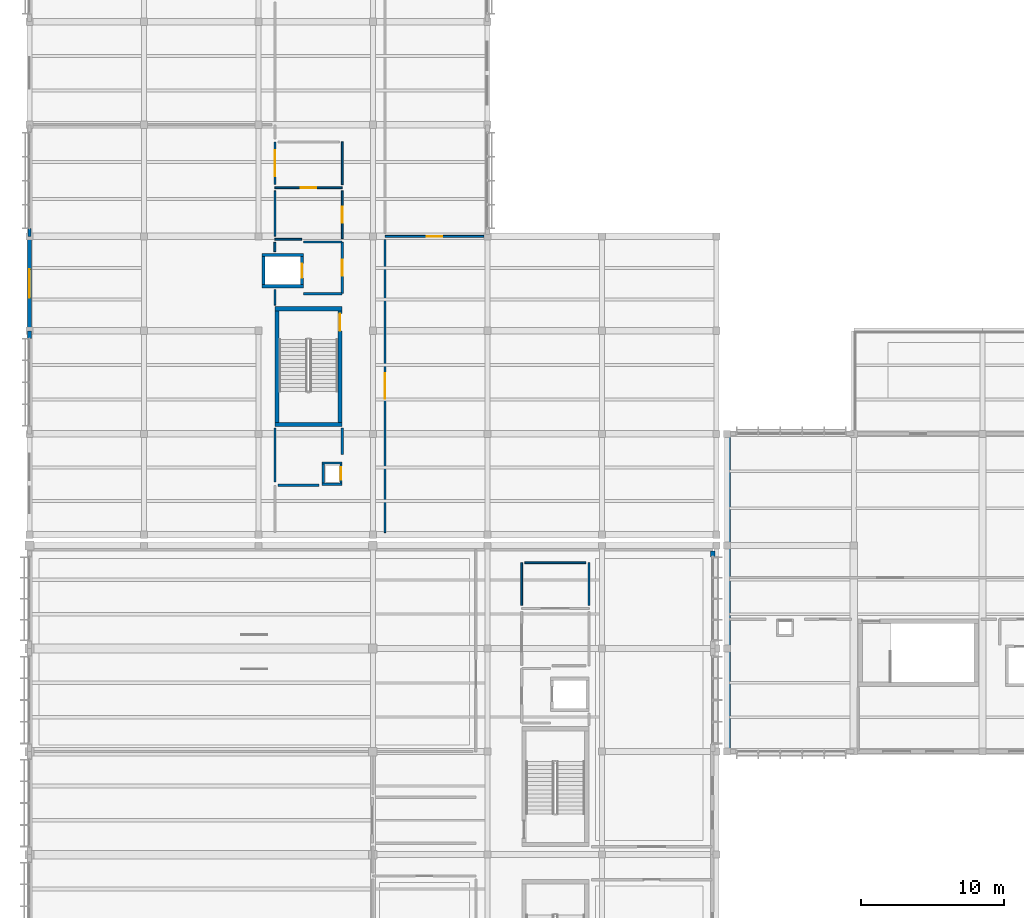
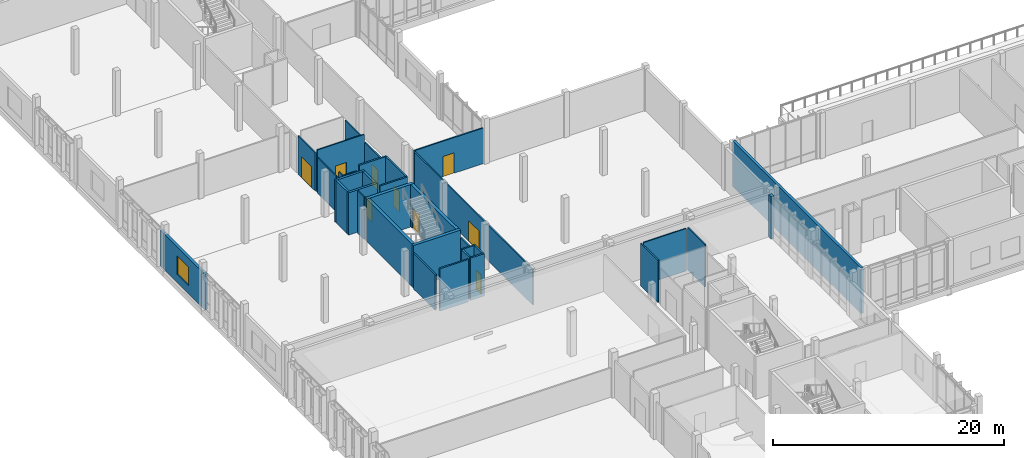
# One storey, part 148 of 177: 36 walls, 9 doors, 1 window, 10 openings.
"""IFC4 building model written with IfcOpenShell, lengths in metres."""

import ifcopenshell
import ifcopenshell.guid

model = None  # the IFC model being written
_history = None  # IfcOwnerHistory: only IFC2X3 demands one
_inside = {}  # id of a spatial element -> (the spatial element, [elements in it])
_under = {}  # id of a project, library or spatial element -> (it, [spatial elements below it])
_declared = {}  # id of a project -> (the project, [libraries it declares])
_typed = {}  # id of a type object -> (the type object, [elements of that type])
_made_of = {}  # id of a material, layer set ... -> (it, [elements and type objects made of it])


def new_model(schema):
    """Start an empty IFC model of exactly this schema.

    Asked for "IFC4X3", IfcOpenShell would pick the latest addendum, in which some entities
    have other attributes; the version numbers below select the first issue.
    IFC2X3 requires an IfcOwnerHistory on every rooted entity: one is made here for all.
    """
    global model, _history
    if schema == "IFC4X3":
        model = ifcopenshell.file(schema_version=(4, 3, 0, 0))
    else:
        model = ifcopenshell.file(schema=schema)
    _inside.clear()
    _under.clear()
    _declared.clear()
    _typed.clear()
    _made_of.clear()
    _history = None
    if model.schema == "IFC2X3":
        org = make("IfcOrganization", Name="unknown")
        user = make(
            "IfcPersonAndOrganization",
            ThePerson=make("IfcPerson", FamilyName="unknown"),
            TheOrganization=org,
        )
        app = make(
            "IfcApplication",
            ApplicationDeveloper=org,
            Version="unknown",
            ApplicationFullName="unknown",
            ApplicationIdentifier="unknown",
        )
        _history = make(
            "IfcOwnerHistory",
            OwningUser=user,
            OwningApplication=app,
            ChangeAction="ADDED",
            CreationDate=0,
        )
    return model


def make(cls, **values):
    """One entity of the class cls with the attributes given. An attribute that is None is left unset."""
    return model.create_entity(
        cls, **{name: value for name, value in values.items() if value is not None}
    )


def rooted(cls, **values):
    """An entity with a GlobalId (a new one), such as an element, a storey or a relation."""
    return make(cls, GlobalId=ifcopenshell.guid.new(), OwnerHistory=_history, **values)


def si_unit(unit_type, name, prefix=None):
    """IfcSIUnit, for example si_unit("LENGTHUNIT", "METRE", prefix="MILLI")."""
    return make("IfcSIUnit", UnitType=unit_type, Prefix=prefix, Name=name)


def assignment(units):
    """IfcUnitAssignment: the units of a project."""
    return None if units is None else make("IfcUnitAssignment", Units=units)


def point(xyz):
    """IfcCartesianPoint."""
    return None if xyz is None else make("IfcCartesianPoint", Coordinates=xyz)


def direction(xyz):
    """IfcDirection."""
    return None if xyz is None else make("IfcDirection", DirectionRatios=xyz)


def frame(location, z_axis=None, x_axis=None):
    """IfcAxis2Placement3D, a coordinate frame: its origin and axes. An axis left out is left unset."""
    return make(
        "IfcAxis2Placement3D",
        Location=point(location),
        Axis=direction(z_axis),
        RefDirection=direction(x_axis),
    )


def frame_2d(location, x_axis=None):
    """IfcAxis2Placement2D, a coordinate frame in the plane: its origin and x axis."""
    return make(
        "IfcAxis2Placement2D", Location=point(location), RefDirection=direction(x_axis)
    )


def origin():
    """The frame at (0, 0, 0) with its axes left unset."""
    return frame((0.0, 0.0, 0.0))


def place(relative_to, where):
    """IfcLocalPlacement: puts the frame where relative to a parent placement (None: the world)."""
    return make(
        "IfcLocalPlacement", PlacementRelTo=relative_to, RelativePlacement=where
    )


def context(
    kind, dimensions, precision=None, world=None, true_north=None, identifier=None
):
    """IfcGeometricRepresentationContext, for example the 3D "Model" context."""
    return make(
        "IfcGeometricRepresentationContext",
        ContextIdentifier=identifier,
        ContextType=kind,
        CoordinateSpaceDimension=dimensions,
        Precision=precision,
        WorldCoordinateSystem=world,
        TrueNorth=true_north,
    )


def subcontext(parent, identifier, kind, view, scale=None):
    """IfcGeometricRepresentationSubContext, for example "Body" below "Model"."""
    return make(
        "IfcGeometricRepresentationSubContext",
        ContextIdentifier=identifier,
        ContextType=kind,
        ParentContext=parent,
        TargetScale=scale,
        TargetView=view,
    )


def project(units=None, contexts=None):
    """IfcProject with its units and contexts."""
    return rooted(
        "IfcProject",
        Name="project",
        RepresentationContexts=contexts,
        UnitsInContext=assignment(units),
    )


def spatial(cls, under=None, at=None, **own):
    """A site, building, storey or space (cls), placed at a placement, below another one or the project."""
    s = rooted(cls, ObjectPlacement=at, **own)
    if under is not None:
        _under.setdefault(under.id(), (under, []))[1].append(s)
    return s


def profile(cls, at=None, kind="AREA", **sizes):
    """A parametric profile (cls). Its sizes go by their IFC names, for example OverallWidth=200.0."""
    return make(cls, ProfileType=kind, Position=at, **sizes)


def rectangle(**sizes):
    """IfcRectangleProfileDef."""
    return profile("IfcRectangleProfileDef", **sizes)


def extrude(swept, where, along, depth):
    """IfcExtrudedAreaSolid: the profile swept, set in the frame where, extruded along a direction by depth."""
    return make(
        "IfcExtrudedAreaSolid",
        SweptArea=swept,
        Position=where,
        ExtrudedDirection=direction(along),
        Depth=depth,
    )


def shape(context_of_items, identifier, shape_type, items):
    """IfcShapeRepresentation: the items that make up one representation, for example the "Body"."""
    return make(
        "IfcShapeRepresentation",
        ContextOfItems=context_of_items,
        RepresentationIdentifier=identifier,
        RepresentationType=shape_type,
        Items=items,
    )


def material(Name=None, Category=None):
    """IfcMaterial."""
    return make("IfcMaterial", Name=Name, Category=Category)


def layer(
    of_material, thickness, ventilated=None, Name=None, Category=None, Priority=None
):
    """IfcMaterialLayer: one layer of a wall or slab, of a material (None: an air gap)."""
    return make(
        "IfcMaterialLayer",
        Material=of_material,
        LayerThickness=thickness,
        IsVentilated=ventilated,
        Name=Name,
        Category=Category,
        Priority=Priority,
    )


def layer_set(layers, Name=None):
    """IfcMaterialLayerSet."""
    return make("IfcMaterialLayerSet", MaterialLayers=layers, LayerSetName=Name)


def made_of(thing, what):
    """Note that an element or type object is made of a material, layer set ...; save() writes the relation."""
    if what is not None:
        _made_of.setdefault(what.id(), (what, []))[1].append(thing)
    return thing


def type_object(cls, material=None, **own):
    """A type object (cls), such as IfcWallType, which elements share."""
    return made_of(rooted(cls, **own), material)


def element(
    cls,
    number,
    at=None,
    inside=None,
    cuts=None,
    type_object=None,
    material=None,
    context=None,
    identifier="Body",
    shape_type=None,
    held_by="IfcProductDefinitionShape",
    body=None,
    shapes=None,
    **own,
):
    """One element of the class cls, such as IfcWall. Its Tag is "e" and its number.

    at: its placement. inside: the storey or other place that contains it. cuts: it is an
    opening in that element (IfcRelVoidsElement). A single representation is given by context,
    identifier, shape_type and body (its items); several are given by shapes. held_by: the class
    of the entity that holds the representations. save() writes the other relations.
    """
    e = rooted(cls, Tag="e%d" % number, ObjectPlacement=at, **own)
    if body is not None:
        shapes = [shape(context, identifier, shape_type, body)]
    if shapes is not None:
        e.Representation = make(held_by, Representations=shapes)
    if inside is not None:
        _inside.setdefault(inside.id(), (inside, []))[1].append(e)
    if cuts is not None:
        rooted(
            "IfcRelVoidsElement", RelatingBuildingElement=cuts, RelatedOpeningElement=e
        )
    if type_object is not None:
        _typed.setdefault(type_object.id(), (type_object, []))[1].append(e)
    return made_of(e, material)


def fill(opening, filler):
    """IfcRelFillsElement: the door or window that sits in an opening."""
    return rooted(
        "IfcRelFillsElement",
        RelatingOpeningElement=opening,
        RelatedBuildingElement=filler,
    )


def aggregate(whole, parts):
    """IfcRelAggregates: a whole, such as a stair, and the parts it consists of."""
    return rooted("IfcRelAggregates", RelatingObject=whole, RelatedObjects=parts)


def save(model, path):
    """Write the relations noted so far, then the file.

    IfcRelAggregates (storeys below a building ...), IfcRelContainedInSpatialStructure (elements
    in a storey), IfcRelDefinesByType, IfcRelAssociatesMaterial and IfcRelDeclares: one each for
    every whole, place, type object, material and project.
    """
    for whole, parts in _under.values():
        aggregate(whole, parts)
    for where, things in _inside.values():
        rooted(
            "IfcRelContainedInSpatialStructure",
            RelatedElements=things,
            RelatingStructure=where,
        )
    for kind, things in _typed.values():
        rooted("IfcRelDefinesByType", RelatedObjects=things, RelatingType=kind)
    for what, things in _made_of.values():
        rooted("IfcRelAssociatesMaterial", RelatedObjects=things, RelatingMaterial=what)
    for by, libraries in _declared.values():
        rooted("IfcRelDeclares", RelatingContext=by, RelatedDefinitions=libraries)
    model.write(path)


model = new_model("IFC4")

# Units and contexts
model_context = context("Model", 3, precision=1e-05, world=origin(), true_north=direction((0.0, 1.0)))
body_context = subcontext(model_context, "Body", "Model", "MODEL_VIEW")
ifc_project = project(units=[si_unit("LENGTHUNIT", "METRE"), si_unit("AREAUNIT", "SQUARE_METRE"), si_unit("VOLUMEUNIT", "CUBIC_METRE"), si_unit("PLANEANGLEUNIT", "RADIAN"), si_unit("MASSUNIT", "GRAM", prefix="KILO")], contexts=[model_context])

# Site, building, storey
site_placement = place(None, origin())
site = spatial("IfcSite", under=ifc_project, at=site_placement, CompositionType="ELEMENT")
building_placement = place(site_placement, origin())
building = spatial("IfcBuilding", under=site, at=building_placement, Name="Chiffa Square Polytechnic", CompositionType="ELEMENT")
storey_placement = place(building_placement, frame((0.0, 0.0, 4.800048828125)))
storey = spatial("IfcBuildingStorey", under=building, at=storey_placement, Name="L01", CompositionType="ELEMENT", Elevation=4.800048828125)

# Walls
ifc_material_1 = material(Name="Concrete C40/50", Category="concrete")
ifc_layer_1 = layer(ifc_material_1, 0.300048828125, Name="Concrete C40/50")
ifc_layer_set_1 = layer_set([ifc_layer_1], Name="Concrete C40/50")
wall_type_1 = type_object("IfcWallType", Name="WL-CORE-300", PredefinedType="SHEAR", material=ifc_layer_set_1)
for number, where, z_axis, x_axis, name in (
    (1, (17.14990234375, 44.449951171875, 0.0), (0.0, 0.0, 1.0), (1.0, 0.0, 0.0), "Core or enclosure wall WC-CORE-V6A-L01-SOUTH"),
    (2, (17.14990234375, 52.550048828125, 0.0), (0.0, 0.0, 1.0), (1.0, 0.0, 0.0), "Core or enclosure wall WC-CORE-V6A-L01-NORTH"),
):
    element("IfcWall", number, at=place(storey_placement, frame(where, z_axis=z_axis, x_axis=x_axis)), inside=storey, type_object=wall_type_1, Name=name, PredefinedType="SHEAR", context=body_context, shape_type="SweptSolid", body=[
        extrude(rectangle(XDim=4.7001953125, YDim=0.300048828125, at=frame_2d((2.35009765625, 0.0))), origin(), (0.0, 0.0, 1.0), 4.47998046875),
    ])
wall_1_placement = place(storey_placement, frame((17.300048828125, 44.60009765625, 0.0), z_axis=(0.0, 0.0, 1.0), x_axis=(0.0, 1.0, 0.0)))
element("IfcWall", 3, at=wall_1_placement, inside=storey, type_object=wall_type_1, Name="Core or enclosure wall WC-CORE-V6A-L01-WEST", PredefinedType="SHEAR", context=body_context, shape_type="SweptSolid", body=[
    extrude(rectangle(XDim=7.7998046875, YDim=0.300048828125, at=frame_2d((3.89990234375, 0.0))), origin(), (0.0, 0.0, 1.0), 4.47998046875),
])

# Wall, opening, door
wall_2_placement = place(storey_placement, frame((21.699951171875, 44.60009765625, 0.0), z_axis=(0.0, 0.0, 1.0), x_axis=(0.0, 1.0, 0.0)))
wall_2 = element("IfcWall", 4, at=wall_2_placement, inside=storey, type_object=wall_type_1, Name="Core or enclosure wall WC-CORE-V6A-L01-EAST", PredefinedType="SHEAR", context=body_context, shape_type="SweptSolid", body=[
    extrude(rectangle(XDim=7.7998046875, YDim=0.300048828125, at=frame_2d((3.89990234375, 0.0))), origin(), (0.0, 0.0, 1.0), 4.47998046875),
])
opening_1_placement = place(wall_2_placement, frame((6.39990234375, 0.0, 0.0)))
opening_1 = element("IfcOpeningElement", 5, at=opening_1_placement, cuts=wall_2, Name="Opening DS-L01-048", PredefinedType="OPENING", context=body_context, shape_type="SweptSolid", body=[
    extrude(rectangle(XDim=1.199951171875, YDim=2.14990234375, at=frame_2d((0.60009765625, 1.074951171875))), frame((0.0, 0.16015625, 0.0), z_axis=(0.0, -1.0, 0.0), x_axis=(1.0, 0.0, 0.0)), (0.0, 0.0, 1.0), 0.320068359375),
])
ifc_material_2 = material(Name="Fire-rated painted steel leaf", Category="steel")
door_type_1 = type_object("IfcDoorType", Name="DR-STAIR-1200", OperationType="NOTDEFINED", PredefinedType="DOOR", material=ifc_material_2)
door_1_placement = place(opening_1_placement, origin())
door_1 = element("IfcDoor", 6, at=door_1_placement, inside=storey, type_object=door_type_1, Name="Enclosure door DS-L01-048", OperationType="SINGLE_SWING_RIGHT", OverallHeight=2.14990234375, OverallWidth=1.199951171875, PredefinedType="DOOR", context=body_context, shape_type="SweptSolid", body=[
    extrude(rectangle(XDim=1.199951171875, YDim=2.14990234375, at=frame_2d((0.60009765625, 1.074951171875))), frame((0.0, 0.02490234375, 0.0), z_axis=(0.0, -1.0, 0.0), x_axis=(1.0, 0.0, 0.0)), (0.0, 0.0, 1.0), 0.050048828125),
])
fill(opening_1, door_1)

# Wall
ifc_material_3 = material(Name="Precast concrete C40/50", Category="concrete")
ifc_layer_2 = layer(ifc_material_3, 0.239990234375, Name="Precast concrete C40/50")
ifc_layer_set_2 = layer_set([ifc_layer_2], Name="Precast concrete C40/50")
wall_type_2 = type_object("IfcWallType", Name="WL-EXT-PC240", PredefinedType="SOLIDWALL", material=ifc_layer_set_2)
wall_3_placement = place(storey_placement, frame((0.0, 58.139892578125, 0.0), z_axis=(0.0, 0.0, 1.0), x_axis=(0.0, -1.0, 0.0)))
element("IfcWall", 7, at=wall_3_placement, inside=storey, type_object=wall_type_2, Name="Facade column pier V6-L01-0424R", PredefinedType="SOLIDWALL", context=body_context, shape_type="SweptSolid", body=[
    extrude(rectangle(XDim=0.539794921875, YDim=0.239990234375, at=frame_2d((0.27001953125, 0.0))), origin(), (0.0, 0.0, 1.0), 3.764892578125),
])

# Wall, opening, window
ifc_layer_3 = layer(ifc_material_3, 0.260009765625, Name="Precast concrete C40/50")
ifc_layer_set_3 = layer_set([ifc_layer_3], Name="Precast concrete C40/50")
wall_type_3 = type_object("IfcWallType", Name="WL-EXT-PC260", PredefinedType="SOLIDWALL", material=ifc_layer_set_3)
wall_4_placement = place(storey_placement, frame((0.0, 57.60009765625, 0.0), z_axis=(0.0, 0.0, 1.0), x_axis=(0.0, -1.0, 0.0)))
wall_4 = element("IfcWall", 8, at=wall_4_placement, inside=storey, type_object=wall_type_3, Name="Exterior wall WE-V6-L01-0425", PredefinedType="SOLIDWALL", context=body_context, shape_type="SweptSolid", body=[
    extrude(rectangle(XDim=6.60009765625, YDim=0.260009765625, at=frame_2d((3.300048828125, 0.0))), origin(), (0.0, 0.0, 1.0), 3.764892578125),
])
opening_2_placement = place(wall_4_placement, frame((2.300048828125, 0.0, 0.85009765625)))
opening_2 = element("IfcOpeningElement", 9, at=opening_2_placement, cuts=wall_4, Name="Opening W-12", PredefinedType="OPENING", context=body_context, shape_type="SweptSolid", body=[
    extrude(rectangle(XDim=2.0, YDim=1.949951171875, at=frame_2d((1.0, 0.97509765625))), frame((0.0, 0.14013671875, 0.0), z_axis=(0.0, -1.0, 0.0), x_axis=(1.0, 0.0, 0.0)), (0.0, 0.0, 1.0), 0.280029296875),
])
ifc_material_4 = material(Name="Double glazing in thermally broken aluminium frame", Category="aluminium")
window_type = type_object("IfcWindowType", Name="WIN-STD-2000X1950", PartitioningType="DOUBLE_PANEL_VERTICAL", PredefinedType="WINDOW", material=ifc_material_4)
window_placement = place(opening_2_placement, origin())
window = element("IfcWindow", 10, at=window_placement, inside=storey, type_object=window_type, Name="Facade window WN-L01-0284", OverallHeight=1.949951171875, OverallWidth=2.0, PartitioningType="DOUBLE_PANEL_VERTICAL", PredefinedType="WINDOW", context=body_context, shape_type="SweptSolid", body=[
    extrude(rectangle(XDim=2.0, YDim=1.949951171875, at=frame_2d((1.0, 0.97509765625))), frame((0.0, 0.030029296875, 0.0), z_axis=(0.0, -1.0, 0.0), x_axis=(1.0, 0.0, 0.0)), (0.0, 0.0, 1.0), 0.06005859375),
])
fill(opening_2, window)

# Walls
ifc_layer_4 = layer(ifc_material_3, 0.280029296875, Name="Precast concrete C40/50")
ifc_layer_set_4 = layer_set([ifc_layer_4], Name="Precast concrete C40/50")
wall_type_4 = type_object("IfcWallType", Name="WL-EXT-PC280", PredefinedType="SOLIDWALL", material=ifc_layer_set_4)
wall_5_placement = place(storey_placement, frame((0.0, 51.0, 0.0), z_axis=(0.0, 0.0, 1.0), x_axis=(0.0, -1.0, 0.0)))
element("IfcWall", 11, at=wall_5_placement, inside=storey, type_object=wall_type_4, Name="Facade column pier V6-L01-0426L", PredefinedType="SOLIDWALL", context=body_context, shape_type="SweptSolid", body=[
    extrude(rectangle(XDim=0.5400390625, YDim=0.280029296875, at=frame_2d((0.27001953125, 0.0))), origin(), (0.0, 0.0, 1.0), 3.764892578125),
])
ifc_layer_5 = layer(ifc_material_3, 0.300048828125, Name="Precast concrete C40/50")
ifc_layer_set_5 = layer_set([ifc_layer_5], Name="Precast concrete C40/50")
wall_type_5 = type_object("IfcWallType", Name="WL-EXT-PC300", PredefinedType="SOLIDWALL", material=ifc_layer_set_5)
wall_6_placement = place(storey_placement, frame((47.75, 35.2099609375, 0.0), z_axis=(0.0, 0.0, 1.0), x_axis=(0.0, 1.0, 0.0)))
element("IfcWall", 12, at=wall_6_placement, inside=storey, type_object=wall_type_5, Name="Facade column pier V3-L01-0158R", PredefinedType="SOLIDWALL", context=body_context, shape_type="SweptSolid", body=[
    extrude(rectangle(XDim=0.4130859375, YDim=0.300048828125, at=frame_2d((0.20654296875, 0.0))), origin(), (0.0, 0.0, 1.0), 4.47998046875),
])

# Wall, opening, door
ifc_material_5 = material(Name="Gypsum board on steel stud", Category="steel")
ifc_layer_6 = layer(ifc_material_5, 0.125, Name="Gypsum board on steel stud")
ifc_layer_set_6 = layer_set([ifc_layer_6], Name="Gypsum board on steel stud")
wall_type_6 = type_object("IfcWallType", Name="WL-PART-125", PredefinedType="PARTITIONING", material=ifc_layer_set_6)
wall_7_placement = place(storey_placement, frame((24.85009765625, 36.905029296875, 0.0), z_axis=(0.0, 0.0, 1.0), x_axis=(0.0, 1.0, 0.0)))
wall_7 = element("IfcWall", 13, at=wall_7_placement, inside=storey, type_object=wall_type_6, Name="Interior partition WP-V6-L01-0341", PredefinedType="PARTITIONING", context=body_context, shape_type="SweptSolid", body=[
    extrude(rectangle(XDim=20.474853515625, YDim=0.125, at=frame_2d((10.2373046875, 0.0))), origin(), (0.0, 0.0, 1.0), 3.764892578125),
])
opening_3_placement = place(wall_7_placement, frame((9.337890625, 0.0, 0.0)))
opening_3 = element("IfcOpeningElement", 14, at=opening_3_placement, cuts=wall_7, Name="Opening DI-L01-150", PredefinedType="OPENING", context=body_context, shape_type="SweptSolid", body=[
    extrude(rectangle(XDim=1.800048828125, YDim=2.199951171875, at=frame_2d((0.89990234375, 1.10009765625))), frame((0.0, 0.072509765625, 0.0), z_axis=(0.0, -1.0, 0.0), x_axis=(1.0, 0.0, 0.0)), (0.0, 0.0, 1.0), 0.14501953125),
])
ifc_material_6 = material(Name="Solid oak fire door pair")
door_type_2 = type_object("IfcDoorType", Name="DR-CORR-DBL-1800", OperationType="DOUBLE_DOOR_SINGLE_SWING", PredefinedType="DOOR", material=ifc_material_6)
door_2_placement = place(opening_3_placement, origin())
door_2 = element("IfcDoor", 15, at=door_2_placement, inside=storey, type_object=door_type_2, Name="Interior room door DI-L01-150", OperationType="DOUBLE_DOOR_SINGLE_SWING", OverallHeight=2.199951171875, OverallWidth=1.800048828125, PredefinedType="DOOR", context=body_context, shape_type="SweptSolid", body=[
    extrude(rectangle(XDim=1.800048828125, YDim=2.199951171875, at=frame_2d((0.89990234375, 1.10009765625))), frame((0.0, 0.02490234375, 0.0), z_axis=(0.0, -1.0, 0.0), x_axis=(1.0, 0.0, 0.0)), (0.0, 0.0, 1.0), 0.050048828125),
])
fill(opening_3, door_2)

# Wall
wall_8_placement = place(storey_placement, frame((17.14990234375, 52.7900390625, 0.0), z_axis=(0.0, 0.0, 1.0), x_axis=(0.0, 1.0, 0.0)))
element("IfcWall", 16, at=wall_8_placement, inside=storey, type_object=wall_type_6, Name="Interior partition WP-V6-L01-0344", PredefinedType="PARTITIONING", context=body_context, shape_type="SweptSolid", body=[
    extrude(rectangle(XDim=1.080078125, YDim=0.125, at=frame_2d((0.5400390625, 0.0))), origin(), (0.0, 0.0, 1.0), 4.47998046875),
])

# Wall, opening, door
ifc_layer_7 = layer(ifc_material_5, 0.135009765625, Name="Gypsum board on steel stud")
ifc_layer_set_7 = layer_set([ifc_layer_7], Name="Gypsum board on steel stud")
wall_type_7 = type_object("IfcWallType", Name="WL-PART-135", PredefinedType="PARTITIONING", material=ifc_layer_set_7)
wall_9_placement = place(storey_placement, frame((24.85009765625, 57.60009765625, 0.0), z_axis=(0.0, 0.0, 1.0), x_axis=(1.0, 0.0, 0.0)))
wall_9 = element("IfcWall", 17, at=wall_9_placement, inside=storey, type_object=wall_type_7, Name="Interior partition WP-V6-L01-0304", PredefinedType="PARTITIONING", context=body_context, shape_type="SweptSolid", body=[
    extrude(rectangle(XDim=6.909912109375, YDim=0.135009765625, at=frame_2d((3.455078125, 0.0))), origin(), (0.0, 0.0, 1.0), 3.764892578125),
])
opening_4_placement = place(wall_9_placement, frame((2.905029296875, 0.0, 0.0)))
opening_4 = element("IfcOpeningElement", 18, at=opening_4_placement, cuts=wall_9, Name="Opening DI-L01-137", PredefinedType="OPENING", context=body_context, shape_type="SweptSolid", body=[
    extrude(rectangle(XDim=1.10009765625, YDim=2.14990234375, at=frame_2d((0.550048828125, 1.074951171875))), frame((0.0, 0.07763671875, 0.0), z_axis=(0.0, -1.0, 0.0), x_axis=(1.0, 0.0, 0.0)), (0.0, 0.0, 1.0), 0.155029296875),
])
ifc_material_7 = material(Name="Solid core ash veneer door")
door_type_3 = type_object("IfcDoorType", Name="DR-INT-1100", OperationType="NOTDEFINED", PredefinedType="DOOR", material=ifc_material_7)
door_3_placement = place(opening_4_placement, origin())
door_3 = element("IfcDoor", 19, at=door_3_placement, inside=storey, type_object=door_type_3, Name="Interior room door DI-L01-137", OperationType="SINGLE_SWING_RIGHT", OverallHeight=2.14990234375, OverallWidth=1.10009765625, PredefinedType="DOOR", context=body_context, shape_type="SweptSolid", body=[
    extrude(rectangle(XDim=1.10009765625, YDim=2.14990234375, at=frame_2d((0.550048828125, 1.074951171875))), frame((0.0, 0.02490234375, 0.0), z_axis=(0.0, -1.0, 0.0), x_axis=(1.0, 0.0, 0.0)), (0.0, 0.0, 1.0), 0.050048828125),
])
fill(opening_4, door_3)

# Walls
wall_10_placement = place(storey_placement, frame((17.14990234375, 56.530029296875, 0.0), z_axis=(0.0, 0.0, 1.0), x_axis=(0.0, 1.0, 0.0)))
element("IfcWall", 20, at=wall_10_placement, inside=storey, type_object=wall_type_7, Name="Interior partition WP-V6-L01-0343", PredefinedType="PARTITIONING", context=body_context, shape_type="SweptSolid", body=[
    extrude(rectangle(XDim=0.64990234375, YDim=0.135009765625, at=frame_2d((0.324951171875, 0.0))), origin(), (0.0, 0.0, 1.0), 4.47998046875),
])
ifc_layer_8 = layer(ifc_material_5, 0.14501953125, Name="Gypsum board on steel stud")
ifc_layer_set_8 = layer_set([ifc_layer_8], Name="Gypsum board on steel stud")
wall_type_8 = type_object("IfcWallType", Name="WL-PART-145", PredefinedType="PARTITIONING", material=ifc_layer_set_8)
wall_11_placement = place(storey_placement, frame((17.14990234375, 40.419921875, 0.0), z_axis=(0.0, 0.0, 1.0), x_axis=(0.0, 1.0, 0.0)))
element("IfcWall", 21, at=wall_11_placement, inside=storey, type_object=wall_type_8, Name="Interior partition WP-V6-L01-0345", PredefinedType="PARTITIONING", context=body_context, shape_type="SweptSolid", body=[
    extrude(rectangle(XDim=3.7900390625, YDim=0.14501953125, at=frame_2d((1.89501953125, 0.0))), origin(), (0.0, 0.0, 1.0), 3.764892578125),
])
ifc_material_8 = material(Name="Gypsum board on acoustic steel stud", Category="steel")
ifc_layer_9 = layer(ifc_material_8, 0.159912109375, Name="Gypsum board on acoustic steel stud")
ifc_layer_set_9 = layer_set([ifc_layer_9], Name="Gypsum board on acoustic steel stud")
wall_type_9 = type_object("IfcWallType", Name="WL-PART-EI60-160", PredefinedType="PARTITIONING", material=ifc_layer_set_9)
for number, where, z_axis, x_axis, name in (
    (22, (20.449951171875, 40.280029296875, 0.0), (0.0, 0.0, 1.0), (1.0, 0.0, 0.0), "Core or enclosure wall WP-RSR-V6-S-L01-SOUTH"),
    (23, (20.449951171875, 41.77001953125, 0.0), (0.0, 0.0, 1.0), (1.0, 0.0, 0.0), "Core or enclosure wall WP-RSR-V6-S-L01-NORTH"),
):
    element("IfcWall", number, at=place(storey_placement, frame(where, z_axis=z_axis, x_axis=x_axis)), inside=storey, type_object=wall_type_9, Name=name, PredefinedType="PARTITIONING", context=body_context, shape_type="SweptSolid", body=[
        extrude(rectangle(XDim=1.400146484375, YDim=0.159912109375, at=frame_2d((0.7001953125, 0.0))), origin(), (0.0, 0.0, 1.0), 4.47998046875),
    ])
wall_12_placement = place(storey_placement, frame((20.530029296875, 40.360107421875, 0.0), z_axis=(0.0, 0.0, 1.0), x_axis=(0.0, 1.0, 0.0)))
element("IfcWall", 24, at=wall_12_placement, inside=storey, type_object=wall_type_9, Name="Core or enclosure wall WP-RSR-V6-S-L01-WEST", PredefinedType="PARTITIONING", context=body_context, shape_type="SweptSolid", body=[
    extrude(rectangle(XDim=1.329833984375, YDim=0.159912109375, at=frame_2d((0.6650390625, 0.0))), origin(), (0.0, 0.0, 1.0), 4.47998046875),
])

# Wall, opening, door
wall_13_placement = place(storey_placement, frame((21.77001953125, 40.360107421875, 0.0), z_axis=(0.0, 0.0, 1.0), x_axis=(0.0, 1.0, 0.0)))
wall_13 = element("IfcWall", 25, at=wall_13_placement, inside=storey, type_object=wall_type_9, Name="Core or enclosure wall WP-RSR-V6-S-L01-EAST", PredefinedType="PARTITIONING", context=body_context, shape_type="SweptSolid", body=[
    extrude(rectangle(XDim=1.329833984375, YDim=0.159912109375, at=frame_2d((0.6650390625, 0.0))), origin(), (0.0, 0.0, 1.0), 4.47998046875),
])
opening_5_placement = place(wall_13_placement, frame((0.239990234375, 0.0, 0.0)))
opening_5 = element("IfcOpeningElement", 26, at=opening_5_placement, cuts=wall_13, Name="Opening DI-L01-R19", PredefinedType="OPENING", context=body_context, shape_type="SweptSolid", body=[
    extrude(rectangle(XDim=0.85009765625, YDim=2.02001953125, at=frame_2d((0.425048828125, 1.010009765625))), frame((0.0, 0.08984375, 0.0), z_axis=(0.0, -1.0, 0.0), x_axis=(1.0, 0.0, 0.0)), (0.0, 0.0, 1.0), 0.179931640625),
])
ifc_material_9 = material(Name="Fire-rated steel riser access door", Category="steel")
door_type_4 = type_object("IfcDoorType", Name="DR-RISER-850", OperationType="NOTDEFINED", PredefinedType="DOOR", material=ifc_material_9)
door_4_placement = place(opening_5_placement, origin())
door_4 = element("IfcDoor", 27, at=door_4_placement, inside=storey, type_object=door_type_4, Name="Enclosure door DI-L01-R19", OperationType="SINGLE_SWING_LEFT", OverallHeight=2.02001953125, OverallWidth=0.85009765625, PredefinedType="DOOR", context=body_context, shape_type="SweptSolid", body=[
    extrude(rectangle(XDim=0.85009765625, YDim=2.02001953125, at=frame_2d((0.425048828125, 1.010009765625))), frame((0.0, 0.02490234375, 0.0), z_axis=(0.0, -1.0, 0.0), x_axis=(1.0, 0.0, 0.0)), (0.0, 0.0, 1.0), 0.050048828125),
])
fill(opening_5, door_4)

# Walls
for number, where, z_axis, x_axis, name in (
    (28, (19.14990234375, 53.60009765625, 0.0), (0.0, 0.0, 1.0), (1.0, 0.0, 0.0), "Lift lobby rated enclosure WP-LOB-LP-V6A-L01-SOUTH"),
    (29, (19.14990234375, 57.199951171875, 0.0), (0.0, 0.0, 1.0), (1.0, 0.0, 0.0), "Lift lobby rated enclosure WP-LOB-LP-V6A-L01-NORTH"),
):
    element("IfcWall", number, at=place(storey_placement, frame(where, z_axis=z_axis, x_axis=x_axis)), inside=storey, type_object=wall_type_9, Name=name, PredefinedType="PARTITIONING", context=body_context, shape_type="SweptSolid", body=[
        extrude(rectangle(XDim=2.7001953125, YDim=0.159912109375, at=frame_2d((1.35009765625, 0.0))), origin(), (0.0, 0.0, 1.0), 4.47998046875),
    ])

# Wall, opening, door
wall_14_placement = place(storey_placement, frame((21.85009765625, 53.60009765625, 0.0), z_axis=(0.0, 0.0, 1.0), x_axis=(0.0, 1.0, 0.0)))
wall_14 = element("IfcWall", 30, at=wall_14_placement, inside=storey, type_object=wall_type_9, Name="Lift lobby rated enclosure WP-LOB-LP-V6A-L01-EAST", PredefinedType="PARTITIONING", context=body_context, shape_type="SweptSolid", body=[
    extrude(rectangle(XDim=3.599853515625, YDim=0.159912109375, at=frame_2d((1.7998046875, 0.0))), origin(), (0.0, 0.0, 1.0), 4.47998046875),
])
opening_6_placement = place(wall_14_placement, frame((1.25, 0.0, 0.0)))
opening_6 = element("IfcOpeningElement", 31, at=opening_6_placement, cuts=wall_14, Name="Opening DI-L01-045", PredefinedType="OPENING", context=body_context, shape_type="SweptSolid", body=[
    extrude(rectangle(XDim=1.10009765625, YDim=2.14990234375, at=frame_2d((0.550048828125, 1.074951171875))), frame((0.0, 0.08984375, 0.0), z_axis=(0.0, -1.0, 0.0), x_axis=(1.0, 0.0, 0.0)), (0.0, 0.0, 1.0), 0.179931640625),
])
door_5_placement = place(opening_6_placement, origin())
door_5 = element("IfcDoor", 32, at=door_5_placement, inside=storey, type_object=door_type_3, Name="Lift lobby fire door DI-L01-045", OperationType="SINGLE_SWING_RIGHT", OverallHeight=2.14990234375, OverallWidth=1.10009765625, PredefinedType="DOOR", context=body_context, shape_type="SweptSolid", body=[
    extrude(rectangle(XDim=1.10009765625, YDim=2.14990234375, at=frame_2d((0.550048828125, 1.074951171875))), frame((0.0, 0.02490234375, 0.0), z_axis=(0.0, -1.0, 0.0), x_axis=(1.0, 0.0, 0.0)), (0.0, 0.0, 1.0), 0.050048828125),
])
fill(opening_6, door_5)

# Walls
wall_15_placement = place(storey_placement, frame((21.85009765625, 42.37109375, 0.0), z_axis=(0.0, 0.0, 1.0), x_axis=(0.0, 1.0, 0.0)))
element("IfcWall", 33, at=wall_15_placement, inside=storey, type_object=wall_type_9, Name="Interior partition WP-V6-L01-0376", PredefinedType="PARTITIONING", context=body_context, shape_type="SweptSolid", body=[
    extrude(rectangle(XDim=1.8388671875, YDim=0.159912109375, at=frame_2d((0.91943359375, 0.0))), origin(), (0.0, 0.0, 1.0), 3.764892578125),
])
wall_16_placement = place(storey_placement, frame((17.3701171875, 40.199951171875, 0.0), z_axis=(0.0, 0.0, 1.0), x_axis=(1.0, 0.0, 0.0)))
element("IfcWall", 34, at=wall_16_placement, inside=storey, type_object=wall_type_9, Name="Interior partition WP-V6-L01-0379", PredefinedType="PARTITIONING", context=body_context, shape_type="SweptSolid", body=[
    extrude(rectangle(XDim=2.85400390625, YDim=0.159912109375, at=frame_2d((1.427001953125, 0.0))), origin(), (0.0, 0.0, 1.0), 4.47998046875),
])
ifc_material_10 = material(Name="Moisture-resistant board partition")
ifc_layer_10 = layer(ifc_material_10, 0.1201171875, Name="Moisture-resistant board partition")
ifc_layer_set_10 = layer_set([ifc_layer_10], Name="Moisture-resistant board partition")
wall_type_10 = type_object("IfcWallType", Name="WL-PART-WC-120", PredefinedType="PARTITIONING", material=ifc_layer_set_10)
for number, where, z_axis, x_axis, name in (
    (35, (39.10009765625, 31.820068359375, 0.0), (0.0, 0.0, 1.0), (0.0, 1.0, 0.0), "Interior partition WP-V3-L01-0249"),
    (36, (34.39990234375, 31.820068359375, 0.0), (0.0, 0.0, 1.0), (0.0, 1.0, 0.0), "Interior partition WP-V3-L01-0250"),
):
    element("IfcWall", number, at=place(storey_placement, frame(where, z_axis=z_axis, x_axis=x_axis)), inside=storey, type_object=wall_type_10, Name=name, PredefinedType="PARTITIONING", context=body_context, shape_type="SweptSolid", body=[
        extrude(rectangle(XDim=2.97998046875, YDim=0.1201171875, at=frame_2d((1.489990234375, 0.0))), origin(), (0.0, 0.0, 1.0), 4.47998046875),
    ])
wall_17_placement = place(storey_placement, frame((34.6201171875, 34.800048828125, 0.0), z_axis=(0.0, 0.0, 1.0), x_axis=(1.0, 0.0, 0.0)))
element("IfcWall", 37, at=wall_17_placement, inside=storey, type_object=wall_type_10, Name="Interior partition WP-V3-L01-0251", PredefinedType="PARTITIONING", context=body_context, shape_type="SweptSolid", body=[
    extrude(rectangle(XDim=4.259765625, YDim=0.1201171875, at=frame_2d((2.1298828125, 0.0))), origin(), (0.0, 0.0, 1.0), 4.47998046875),
])

# Wall, opening, door
wall_18_placement = place(storey_placement, frame((17.14990234375, 61.0, 0.0), z_axis=(0.0, 0.0, 1.0), x_axis=(1.0, 0.0, 0.0)))
wall_18 = element("IfcWall", 38, at=wall_18_placement, inside=storey, type_object=wall_type_10, Name="Interior partition WP-V6-L01-0252", PredefinedType="PARTITIONING", context=body_context, shape_type="SweptSolid", body=[
    extrude(rectangle(XDim=4.7001953125, YDim=0.1201171875, at=frame_2d((2.35009765625, 0.0))), origin(), (0.0, 0.0, 1.0), 4.47998046875),
])
opening_7_placement = place(wall_18_placement, frame((1.800048828125, 0.0, 0.0)))
opening_7 = element("IfcOpeningElement", 39, at=opening_7_placement, cuts=wall_18, Name="Opening DI-L01-119", PredefinedType="OPENING", context=body_context, shape_type="SweptSolid", body=[
    extrude(rectangle(XDim=1.10009765625, YDim=2.14990234375, at=frame_2d((0.550048828125, 1.074951171875))), frame((0.0, 0.070068359375, 0.0), z_axis=(0.0, -1.0, 0.0), x_axis=(1.0, 0.0, 0.0)), (0.0, 0.0, 1.0), 0.14013671875),
])
door_6_placement = place(opening_7_placement, origin())
door_6 = element("IfcDoor", 40, at=door_6_placement, inside=storey, type_object=door_type_3, Name="Interior room door DI-L01-119", OperationType="SINGLE_SWING_LEFT", OverallHeight=2.14990234375, OverallWidth=1.10009765625, PredefinedType="DOOR", context=body_context, shape_type="SweptSolid", body=[
    extrude(rectangle(XDim=1.10009765625, YDim=2.14990234375, at=frame_2d((0.550048828125, 1.074951171875))), frame((0.0, 0.02490234375, 0.0), z_axis=(0.0, -1.0, 0.0), x_axis=(1.0, 0.0, 0.0)), (0.0, 0.0, 1.0), 0.050048828125),
])
fill(opening_7, door_6)

# Wall
wall_19_placement = place(storey_placement, frame((21.85009765625, 61.219970703125, 0.0), z_axis=(0.0, 0.0, 1.0), x_axis=(0.0, 1.0, 0.0)))
element("IfcWall", 41, at=wall_19_placement, inside=storey, type_object=wall_type_10, Name="Interior partition WP-V6-L01-0253", PredefinedType="PARTITIONING", context=body_context, shape_type="SweptSolid", body=[
    extrude(rectangle(XDim=2.97998046875, YDim=0.1201171875, at=frame_2d((1.489990234375, 0.0))), origin(), (0.0, 0.0, 1.0), 4.02490234375),
])

# Wall, opening, door
wall_20_placement = place(storey_placement, frame((17.14990234375, 61.219970703125, 0.0), z_axis=(0.0, 0.0, 1.0), x_axis=(0.0, 1.0, 0.0)))
wall_20 = element("IfcWall", 42, at=wall_20_placement, inside=storey, type_object=wall_type_10, Name="Interior partition WP-V6-L01-0254", PredefinedType="PARTITIONING", context=body_context, shape_type="SweptSolid", body=[
    extrude(rectangle(XDim=2.97998046875, YDim=0.1201171875, at=frame_2d((1.489990234375, 0.0))), origin(), (0.0, 0.0, 1.0), 4.02490234375),
])
opening_8_placement = place(wall_20_placement, frame((0.590087890625, 0.0, 0.0)))
opening_8 = element("IfcOpeningElement", 43, at=opening_8_placement, cuts=wall_20, Name="Opening DI-L01-120", PredefinedType="OPENING", context=body_context, shape_type="SweptSolid", body=[
    extrude(rectangle(XDim=1.800048828125, YDim=2.199951171875, at=frame_2d((0.89990234375, 1.10009765625))), frame((0.0, 0.070068359375, 0.0), z_axis=(0.0, -1.0, 0.0), x_axis=(1.0, 0.0, 0.0)), (0.0, 0.0, 1.0), 0.14013671875),
])
door_7_placement = place(opening_8_placement, origin())
door_7 = element("IfcDoor", 44, at=door_7_placement, inside=storey, type_object=door_type_2, Name="Interior room door DI-L01-120", OperationType="DOUBLE_DOOR_SINGLE_SWING", OverallHeight=2.199951171875, OverallWidth=1.800048828125, PredefinedType="DOOR", context=body_context, shape_type="SweptSolid", body=[
    extrude(rectangle(XDim=1.800048828125, YDim=2.199951171875, at=frame_2d((0.89990234375, 1.10009765625))), frame((0.0, 0.02490234375, 0.0), z_axis=(0.0, -1.0, 0.0), x_axis=(1.0, 0.0, 0.0)), (0.0, 0.0, 1.0), 0.050048828125),
])
fill(opening_8, door_7)

wall_21_placement = place(storey_placement, frame((21.85009765625, 57.43994140625, 0.0), z_axis=(0.0, 0.0, 1.0), x_axis=(0.0, 1.0, 0.0)))
wall_21 = element("IfcWall", 45, at=wall_21_placement, inside=storey, type_object=wall_type_10, Name="Interior partition WP-V6-L01-0256", PredefinedType="PARTITIONING", context=body_context, shape_type="SweptSolid", body=[
    extrude(rectangle(XDim=3.340087890625, YDim=0.1201171875, at=frame_2d((1.669921875, 0.0))), origin(), (0.0, 0.0, 1.0), 3.764892578125),
])
opening_9_placement = place(wall_21_placement, frame((1.1201171875, 0.0, 0.0)))
opening_9 = element("IfcOpeningElement", 46, at=opening_9_placement, cuts=wall_21, Name="Opening DI-L01-121", PredefinedType="OPENING", context=body_context, shape_type="SweptSolid", body=[
    extrude(rectangle(XDim=1.10009765625, YDim=2.14990234375, at=frame_2d((0.550048828125, 1.074951171875))), frame((0.0, 0.070068359375, 0.0), z_axis=(0.0, -1.0, 0.0), x_axis=(1.0, 0.0, 0.0)), (0.0, 0.0, 1.0), 0.14013671875),
])
door_8_placement = place(opening_9_placement, origin())
door_8 = element("IfcDoor", 47, at=door_8_placement, inside=storey, type_object=door_type_3, Name="Interior room door DI-L01-121", OperationType="SINGLE_SWING_RIGHT", OverallHeight=2.14990234375, OverallWidth=1.10009765625, PredefinedType="DOOR", context=body_context, shape_type="SweptSolid", body=[
    extrude(rectangle(XDim=1.10009765625, YDim=2.14990234375, at=frame_2d((0.550048828125, 1.074951171875))), frame((0.0, 0.02490234375, 0.0), z_axis=(0.0, -1.0, 0.0), x_axis=(1.0, 0.0, 0.0)), (0.0, 0.0, 1.0), 0.050048828125),
])
fill(opening_9, door_8)

# Walls
wall_22_placement = place(storey_placement, frame((17.14990234375, 57.39990234375, 0.0), z_axis=(0.0, 0.0, 1.0), x_axis=(1.0, 0.0, 0.0)))
element("IfcWall", 48, at=wall_22_placement, inside=storey, type_object=wall_type_10, Name="Interior partition WP-V6-L01-0257", PredefinedType="PARTITIONING", context=body_context, shape_type="SweptSolid", body=[
    extrude(rectangle(XDim=1.8671875, YDim=0.1201171875, at=frame_2d((0.93359375, 0.0))), origin(), (0.0, 0.0, 1.0), 3.764892578125),
])
wall_23_placement = place(storey_placement, frame((17.14990234375, 57.6201171875, 0.0), z_axis=(0.0, 0.0, 1.0), x_axis=(0.0, 1.0, 0.0)))
element("IfcWall", 49, at=wall_23_placement, inside=storey, type_object=wall_type_10, Name="Interior partition WP-V6-L01-0258", PredefinedType="PARTITIONING", context=body_context, shape_type="SweptSolid", body=[
    extrude(rectangle(XDim=3.159912109375, YDim=0.1201171875, at=frame_2d((1.580078125, 0.0))), origin(), (0.0, 0.0, 1.0), 3.764892578125),
])
ifc_material_11 = material(Name="Concrete C35/45", Category="concrete")
ifc_layer_11 = layer(ifc_material_11, 0.219970703125, Name="Concrete C35/45")
ifc_layer_set_11 = layer_set([ifc_layer_11], Name="Concrete C35/45")
wall_type_11 = type_object("IfcWallType", Name="WL-SHAFT-220", PredefinedType="SHEAR", material=ifc_layer_set_11)
for number, where, z_axis, x_axis, name in (
    (50, (16.25, 54.110107421875, 0.0), (0.0, 0.0, 1.0), (1.0, 0.0, 0.0), "Core or enclosure wall WS-LP-V6A-L01-SOUTH"),
    (51, (16.25, 56.2900390625, 0.0), (0.0, 0.0, 1.0), (1.0, 0.0, 0.0), "Core or enclosure wall WS-LP-V6A-L01-NORTH"),
):
    element("IfcWall", number, at=place(storey_placement, frame(where, z_axis=z_axis, x_axis=x_axis)), inside=storey, type_object=wall_type_11, Name=name, PredefinedType="SHEAR", context=body_context, shape_type="SweptSolid", body=[
        extrude(rectangle(XDim=2.89990234375, YDim=0.219970703125, at=frame_2d((1.449951171875, 0.0))), origin(), (0.0, 0.0, 1.0), 4.47998046875),
    ])
wall_24_placement = place(storey_placement, frame((16.360107421875, 54.219970703125, 0.0), z_axis=(0.0, 0.0, 1.0), x_axis=(0.0, 1.0, 0.0)))
element("IfcWall", 52, at=wall_24_placement, inside=storey, type_object=wall_type_11, Name="Core or enclosure wall WS-LP-V6A-L01-WEST", PredefinedType="SHEAR", context=body_context, shape_type="SweptSolid", body=[
    extrude(rectangle(XDim=1.9599609375, YDim=0.219970703125, at=frame_2d((0.97998046875, 0.0))), origin(), (0.0, 0.0, 1.0), 4.47998046875),
])

# Wall, opening, door
wall_25_placement = place(storey_placement, frame((19.0400390625, 54.219970703125, 0.0), z_axis=(0.0, 0.0, 1.0), x_axis=(0.0, 1.0, 0.0)))
wall_25 = element("IfcWall", 53, at=wall_25_placement, inside=storey, type_object=wall_type_11, Name="Core or enclosure wall WS-LP-V6A-L01-EAST", PredefinedType="SHEAR", context=body_context, shape_type="SweptSolid", body=[
    extrude(rectangle(XDim=1.9599609375, YDim=0.219970703125, at=frame_2d((0.97998046875, 0.0))), origin(), (0.0, 0.0, 1.0), 4.47998046875),
])
opening_10_placement = place(wall_25_placement, frame((0.47998046875, 0.0, 0.0)))
opening_10 = element("IfcOpeningElement", 54, at=opening_10_placement, cuts=wall_25, Name="Opening LD-LP-V6A-L01", PredefinedType="OPENING", context=body_context, shape_type="SweptSolid", body=[
    extrude(rectangle(XDim=1.0, YDim=2.14990234375, at=frame_2d((0.5, 1.074951171875))), frame((0.0, 0.1201171875, 0.0), z_axis=(0.0, -1.0, 0.0), x_axis=(1.0, 0.0, 0.0)), (0.0, 0.0, 1.0), 0.239990234375),
])
ifc_material_12 = material(Name="Brushed stainless steel sliding landing door", Category="steel")
door_type_5 = type_object("IfcDoorType", Name="DR-LIFT-1000", OperationType="SLIDING_TO_RIGHT", PredefinedType="DOOR", material=ifc_material_12)
door_9_placement = place(opening_10_placement, origin())
door_9 = element("IfcDoor", 55, at=door_9_placement, inside=storey, type_object=door_type_5, Name="Enclosure door LD-LP-V6A-L01", OperationType="SLIDING_TO_LEFT", OverallHeight=2.14990234375, OverallWidth=1.0, PredefinedType="DOOR", context=body_context, shape_type="SweptSolid", body=[
    extrude(rectangle(XDim=1.0, YDim=2.14990234375, at=frame_2d((0.5, 1.074951171875))), frame((0.0, 0.02490234375, 0.0), z_axis=(0.0, -1.0, 0.0), x_axis=(1.0, 0.0, 0.0)), (0.0, 0.0, 1.0), 0.050048828125),
])
fill(opening_10, door_9)

# Wall
ifc_layer_12 = layer(ifc_material_11, 0.25, Name="Concrete C35/45")
ifc_layer_set_12 = layer_set([ifc_layer_12], Name="Concrete C35/45")
wall_type_12 = type_object("IfcWallType", Name="WL-SJ-250", PredefinedType="SHEAR", material=ifc_layer_set_12)
wall_26_placement = place(storey_placement, frame((48.85009765625, 43.800048828125, 0.0), z_axis=(0.0, 0.0, 1.0), x_axis=(0.0, -1.0, 0.0)))
element("IfcWall", 56, at=wall_26_placement, inside=storey, type_object=wall_type_12, Name="Seismic-joint fire wall WE-V4-L01-0216", PredefinedType="SHEAR", context=body_context, shape_type="SweptSolid", body=[
    extrude(rectangle(XDim=22.199951171875, YDim=0.25, at=frame_2d((11.10009765625, 0.0))), origin(), (0.0, 0.0, 1.0), 4.800048828125),
])

save(model, "model.ifc")
